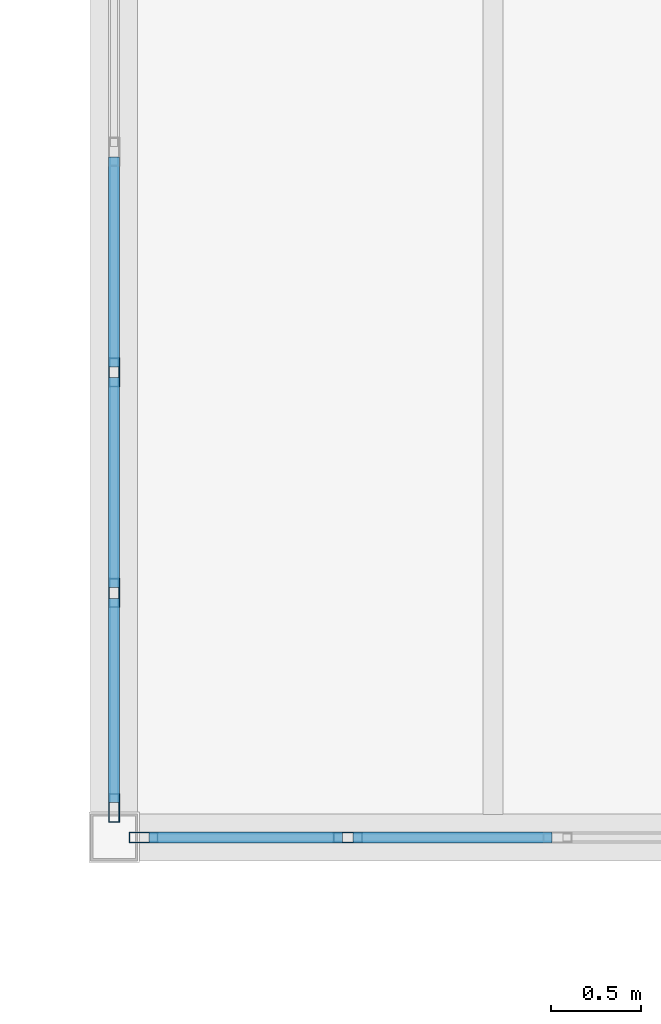
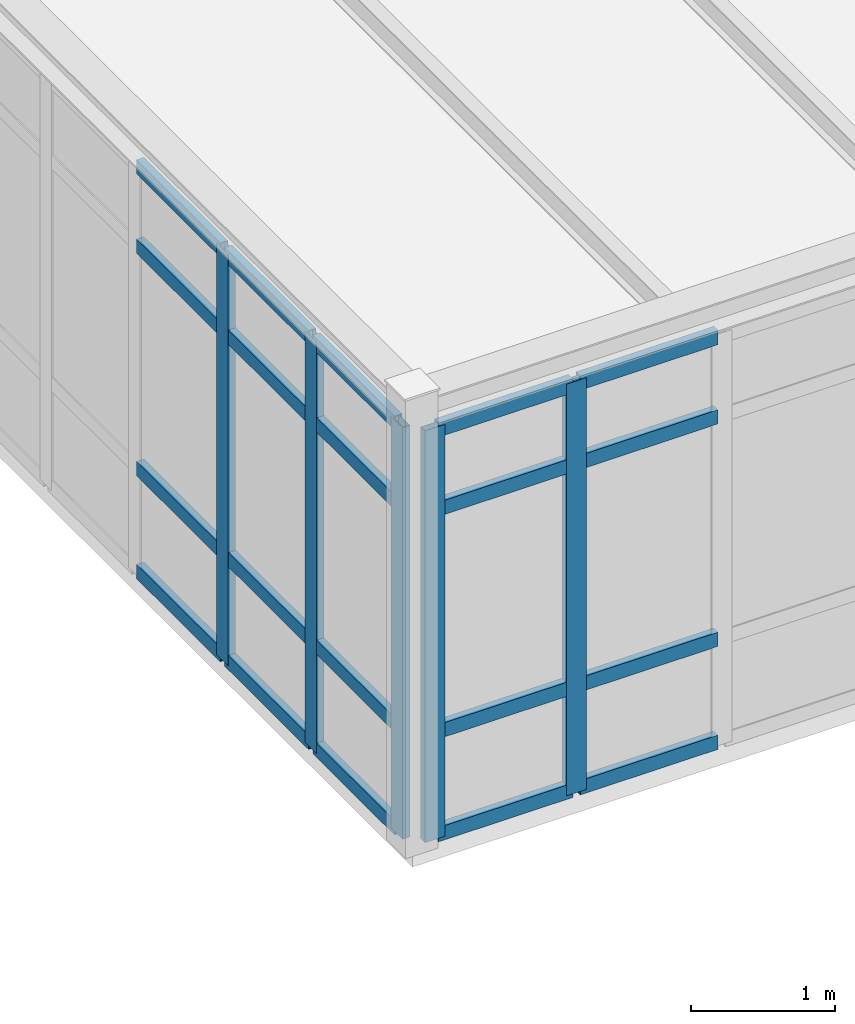
# One storey, part 67 of 189: 25 members, 2 elements without a shape of their own.
"""IFC4 building model written with IfcOpenShell, lengths in metres."""

from ifc_helpers import new_model, si_unit, direction, frame, origin, origin_2d, place, context, subcontext, project, spatial, hollow_rectangle, extrude, material, layer, layer_set, material_profile, profile_set, type_object, element, aggregate, save


model = new_model("IFC4")

# Units and contexts
model_context = context("Model", 3, precision=1e-05, world=origin(), true_north=direction((0.0, 1.0)))
body_context = subcontext(model_context, "Body", "Model", "MODEL_VIEW")
ifc_project = project(units=[si_unit("LENGTHUNIT", "METRE"), si_unit("AREAUNIT", "SQUARE_METRE"), si_unit("VOLUMEUNIT", "CUBIC_METRE"), si_unit("PLANEANGLEUNIT", "RADIAN"), si_unit("MASSUNIT", "GRAM", prefix="KILO")], contexts=[model_context])

# Site, building, storey
site_placement = place(None, origin())
site = spatial("IfcSite", under=ifc_project, at=site_placement, CompositionType="ELEMENT")
building_placement = place(site_placement, origin())
building = spatial("IfcBuilding", under=site, at=building_placement, Name="Montecoro Central Library", CompositionType="ELEMENT")
storey_placement = place(building_placement, frame((0.0, 0.0, 9.179931640625)))
storey = spatial("IfcBuildingStorey", under=building, at=storey_placement, Name="L02", CompositionType="ELEMENT", Elevation=9.179931640625)

# Curtain wall, members
ifc_material_1 = material(Name="Bronze-anodised aluminium and low-E glazing", Category="aluminium")
ifc_layer_1 = layer(ifc_material_1, 0.159912109375)
ifc_layer_set_1 = layer_set([ifc_layer_1], Name="Bronze-anodised aluminium and low-E glazing")
curtain_wall_type_1 = type_object("IfcCurtainWallType", Name="CWT-014", PredefinedType="NOTDEFINED", material=ifc_layer_set_1)
curtain_wall_1_placement = place(storey_placement, origin())
curtain_wall_1 = element("IfcCurtainWall", 1, at=curtain_wall_1_placement, inside=storey, type_object=curtain_wall_type_1, Name="V2-L02-CW-S0", PredefinedType="NOTDEFINED")
ifc_material_2 = material(Name="Bronze-anodised aluminium", Category="aluminium")
ifc_material_profile_1 = material_profile(ifc_material_2, hollow_rectangle(XDim=0.06005859375, YDim=0.159912109375, WallThickness=0.00390625, at=origin_2d()), Name="CWM 160x60x4.0")
ifc_profile_set_1 = profile_set([ifc_material_profile_1], Name="Bronze-anodised aluminium")
member_type_1 = type_object("IfcMemberType", Name="CWM-BRZ-60", PredefinedType="MULLION", material=ifc_profile_set_1)
member_1_placement = place(storey_placement, frame((66.56298828125, 81.0, 0.0), z_axis=(0.0, 0.0, 1.0), x_axis=(0.0, 1.0, 0.0)))
member_1 = element("IfcMember", 2, at=member_1_placement, type_object=member_type_1, Name="CW-014 mullion 1", PredefinedType="MULLION", context=body_context, shape_type="SweptSolid", body=[
    extrude(hollow_rectangle(XDim=0.06005859375, YDim=0.159912109375, WallThickness=0.00390625, at=origin_2d()), origin(), (0.0, 0.0, 1.0), 3.47998046875),
])
member_2_placement = place(storey_placement, frame((67.695068359375, 81.0, 0.0), z_axis=(0.0, 0.0, 1.0), x_axis=(0.0, 1.0, 0.0)))
member_2 = element("IfcMember", 3, at=member_2_placement, type_object=member_type_1, Name="CW-014 mullion 2", PredefinedType="MULLION", context=body_context, shape_type="SweptSolid", body=[
    extrude(hollow_rectangle(XDim=0.06005859375, YDim=0.159912109375, WallThickness=0.00390625, at=origin_2d()), origin(), (0.0, 0.0, 1.0), 3.47998046875),
])

ifc_layer_2 = layer(ifc_material_1, 0.159912109375)
ifc_layer_set_2 = layer_set([ifc_layer_2], Name="Bronze-anodised aluminium and low-E glazing")
curtain_wall_type_2 = type_object("IfcCurtainWallType", Name="CWT-017", PredefinedType="NOTDEFINED", material=ifc_layer_set_2)
curtain_wall_2_placement = place(storey_placement, origin())
curtain_wall_2 = element("IfcCurtainWall", 4, at=curtain_wall_2_placement, inside=storey, type_object=curtain_wall_type_2, Name="V2-L02-CW-W0", PredefinedType="NOTDEFINED")
member_3_placement = place(storey_placement, frame((66.39990234375, 83.57763671875, 0.0), z_axis=(0.0, 0.0, 1.0), x_axis=(1.0, 0.0, 0.0)))
member_3 = element("IfcMember", 5, at=member_3_placement, type_object=member_type_1, Name="CW-017 mullion 5", PredefinedType="MULLION", context=body_context, shape_type="SweptSolid", body=[
    extrude(hollow_rectangle(XDim=0.06005859375, YDim=0.159912109375, WallThickness=0.00390625, at=origin_2d()), origin(), (0.0, 0.0, 1.0), 3.47998046875),
])
member_4_placement = place(storey_placement, frame((66.39990234375, 82.355224609375, 0.0), z_axis=(0.0, 0.0, 1.0), x_axis=(1.0, 0.0, 0.0)))
member_4 = element("IfcMember", 6, at=member_4_placement, type_object=member_type_1, Name="CW-017 mullion 6", PredefinedType="MULLION", context=body_context, shape_type="SweptSolid", body=[
    extrude(hollow_rectangle(XDim=0.06005859375, YDim=0.159912109375, WallThickness=0.00390625, at=origin_2d()), origin(), (0.0, 0.0, 1.0), 3.47998046875),
])
member_5_placement = place(storey_placement, frame((66.39990234375, 81.1630859375, 0.0), z_axis=(0.0, 0.0, 1.0), x_axis=(1.0, 0.0, 0.0)))
member_5 = element("IfcMember", 7, at=member_5_placement, type_object=member_type_1, Name="CW-017 mullion 7", PredefinedType="MULLION", context=body_context, shape_type="SweptSolid", body=[
    extrude(hollow_rectangle(XDim=0.06005859375, YDim=0.159912109375, WallThickness=0.00390625, at=origin_2d()), origin(), (0.0, 0.0, 1.0), 3.47998046875),
])

# Member
ifc_material_profile_2 = material_profile(ifc_material_2, hollow_rectangle(XDim=0.06005859375, YDim=0.1201171875, WallThickness=0.00390625, at=origin_2d()), Name="CWT 120x60x4.0")
ifc_profile_set_2 = profile_set([ifc_material_profile_2], Name="Bronze-anodised aluminium")
member_type_2 = type_object("IfcMemberType", Name="CWT-BRZ-60", PredefinedType="USERDEFINED", material=ifc_profile_set_2)
member_6_placement = place(storey_placement, frame((66.593017578125, 81.0, 0.030029296875), z_axis=(1.0, 0.0, 0.0), x_axis=(0.0, 1.0, 0.0)))
member_6 = element("IfcMember", 8, at=member_6_placement, type_object=member_type_2, Name="CW-014 transom 1.1", ObjectType="TRANSOM", PredefinedType="USERDEFINED", context=body_context, shape_type="SweptSolid", body=[
    extrude(hollow_rectangle(XDim=0.06005859375, YDim=0.1201171875, WallThickness=0.00390625, at=origin_2d()), origin(), (0.0, 0.0, 1.0), 1.072021484375),
])

member_7_placement = place(storey_placement, frame((66.593017578125, 81.0, 0.900146484375), z_axis=(1.0, 0.0, 0.0), x_axis=(0.0, 1.0, 0.0)))
member_7 = element("IfcMember", 9, at=member_7_placement, type_object=member_type_2, Name="CW-014 transom 1.2", ObjectType="TRANSOM", PredefinedType="USERDEFINED", context=body_context, shape_type="SweptSolid", body=[
    extrude(hollow_rectangle(XDim=0.06005859375, YDim=0.1201171875, WallThickness=0.00390625, at=origin_2d()), origin(), (0.0, 0.0, 1.0), 1.072021484375),
])

member_8_placement = place(storey_placement, frame((66.593017578125, 81.0, 2.780029296875), z_axis=(1.0, 0.0, 0.0), x_axis=(0.0, 1.0, 0.0)))
member_8 = element("IfcMember", 10, at=member_8_placement, type_object=member_type_2, Name="CW-014 transom 1.3", ObjectType="TRANSOM", PredefinedType="USERDEFINED", context=body_context, shape_type="SweptSolid", body=[
    extrude(hollow_rectangle(XDim=0.06005859375, YDim=0.1201171875, WallThickness=0.00390625, at=origin_2d()), origin(), (0.0, 0.0, 1.0), 1.072021484375),
])

member_9_placement = place(storey_placement, frame((66.593017578125, 81.0, 3.449951171875), z_axis=(1.0, 0.0, 0.0), x_axis=(0.0, 1.0, 0.0)))
member_9 = element("IfcMember", 11, at=member_9_placement, type_object=member_type_2, Name="CW-014 transom 1.4", ObjectType="TRANSOM", PredefinedType="USERDEFINED", context=body_context, shape_type="SweptSolid", body=[
    extrude(hollow_rectangle(XDim=0.06005859375, YDim=0.1201171875, WallThickness=0.00390625, at=origin_2d()), origin(), (0.0, 0.0, 1.0), 1.072021484375),
])

member_10_placement = place(storey_placement, frame((67.72509765625, 81.0, 0.030029296875), z_axis=(1.0, 0.0, 0.0), x_axis=(0.0, 1.0, 0.0)))
member_10 = element("IfcMember", 12, at=member_10_placement, type_object=member_type_2, Name="CW-014 transom 2.1", ObjectType="TRANSOM", PredefinedType="USERDEFINED", context=body_context, shape_type="SweptSolid", body=[
    extrude(hollow_rectangle(XDim=0.06005859375, YDim=0.1201171875, WallThickness=0.00390625, at=origin_2d()), origin(), (0.0, 0.0, 1.0), 1.101806640625),
])

member_11_placement = place(storey_placement, frame((67.72509765625, 81.0, 0.900146484375), z_axis=(1.0, 0.0, 0.0), x_axis=(0.0, 1.0, 0.0)))
member_11 = element("IfcMember", 13, at=member_11_placement, type_object=member_type_2, Name="CW-014 transom 2.2", ObjectType="TRANSOM", PredefinedType="USERDEFINED", context=body_context, shape_type="SweptSolid", body=[
    extrude(hollow_rectangle(XDim=0.06005859375, YDim=0.1201171875, WallThickness=0.00390625, at=origin_2d()), origin(), (0.0, 0.0, 1.0), 1.101806640625),
])

member_12_placement = place(storey_placement, frame((67.72509765625, 81.0, 2.780029296875), z_axis=(1.0, 0.0, 0.0), x_axis=(0.0, 1.0, 0.0)))
member_12 = element("IfcMember", 14, at=member_12_placement, type_object=member_type_2, Name="CW-014 transom 2.3", ObjectType="TRANSOM", PredefinedType="USERDEFINED", context=body_context, shape_type="SweptSolid", body=[
    extrude(hollow_rectangle(XDim=0.06005859375, YDim=0.1201171875, WallThickness=0.00390625, at=origin_2d()), origin(), (0.0, 0.0, 1.0), 1.101806640625),
])

member_13_placement = place(storey_placement, frame((67.72509765625, 81.0, 3.449951171875), z_axis=(1.0, 0.0, 0.0), x_axis=(0.0, 1.0, 0.0)))
member_13 = element("IfcMember", 15, at=member_13_placement, type_object=member_type_2, Name="CW-014 transom 2.4", ObjectType="TRANSOM", PredefinedType="USERDEFINED", context=body_context, shape_type="SweptSolid", body=[
    extrude(hollow_rectangle(XDim=0.06005859375, YDim=0.1201171875, WallThickness=0.00390625, at=origin_2d()), origin(), (0.0, 0.0, 1.0), 1.101806640625),
])

aggregate(curtain_wall_1, [member_1, member_2, member_6, member_7, member_8, member_9, member_10, member_11, member_12, member_13])

member_14_placement = place(storey_placement, frame((66.39990234375, 84.77001953125, 0.030029296875), z_axis=(0.0, -1.0, 0.0), x_axis=(1.0, 0.0, 0.0)))
member_14 = element("IfcMember", 16, at=member_14_placement, type_object=member_type_2, Name="CW-017 transom 4.1", ObjectType="TRANSOM", PredefinedType="USERDEFINED", context=body_context, shape_type="SweptSolid", body=[
    extrude(hollow_rectangle(XDim=0.06005859375, YDim=0.1201171875, WallThickness=0.00390625, at=origin_2d()), origin(), (0.0, 0.0, 1.0), 1.162353515625),
])

member_15_placement = place(storey_placement, frame((66.39990234375, 84.77001953125, 0.900146484375), z_axis=(0.0, -1.0, 0.0), x_axis=(1.0, 0.0, 0.0)))
member_15 = element("IfcMember", 17, at=member_15_placement, type_object=member_type_2, Name="CW-017 transom 4.2", ObjectType="TRANSOM", PredefinedType="USERDEFINED", context=body_context, shape_type="SweptSolid", body=[
    extrude(hollow_rectangle(XDim=0.06005859375, YDim=0.1201171875, WallThickness=0.00390625, at=origin_2d()), origin(), (0.0, 0.0, 1.0), 1.162353515625),
])

member_16_placement = place(storey_placement, frame((66.39990234375, 84.77001953125, 2.780029296875), z_axis=(0.0, -1.0, 0.0), x_axis=(1.0, 0.0, 0.0)))
member_16 = element("IfcMember", 18, at=member_16_placement, type_object=member_type_2, Name="CW-017 transom 4.3", ObjectType="TRANSOM", PredefinedType="USERDEFINED", context=body_context, shape_type="SweptSolid", body=[
    extrude(hollow_rectangle(XDim=0.06005859375, YDim=0.1201171875, WallThickness=0.00390625, at=origin_2d()), origin(), (0.0, 0.0, 1.0), 1.162353515625),
])

member_17_placement = place(storey_placement, frame((66.39990234375, 84.77001953125, 3.449951171875), z_axis=(0.0, -1.0, 0.0), x_axis=(1.0, 0.0, 0.0)))
member_17 = element("IfcMember", 19, at=member_17_placement, type_object=member_type_2, Name="CW-017 transom 4.4", ObjectType="TRANSOM", PredefinedType="USERDEFINED", context=body_context, shape_type="SweptSolid", body=[
    extrude(hollow_rectangle(XDim=0.06005859375, YDim=0.1201171875, WallThickness=0.00390625, at=origin_2d()), origin(), (0.0, 0.0, 1.0), 1.162353515625),
])

member_18_placement = place(storey_placement, frame((66.39990234375, 83.547607421875, 0.030029296875), z_axis=(0.0, -1.0, 0.0), x_axis=(1.0, 0.0, 0.0)))
member_18 = element("IfcMember", 20, at=member_18_placement, type_object=member_type_2, Name="CW-017 transom 5.1", ObjectType="TRANSOM", PredefinedType="USERDEFINED", context=body_context, shape_type="SweptSolid", body=[
    extrude(hollow_rectangle(XDim=0.06005859375, YDim=0.1201171875, WallThickness=0.00390625, at=origin_2d()), origin(), (0.0, 0.0, 1.0), 1.162353515625),
])

member_19_placement = place(storey_placement, frame((66.39990234375, 83.547607421875, 0.900146484375), z_axis=(0.0, -1.0, 0.0), x_axis=(1.0, 0.0, 0.0)))
member_19 = element("IfcMember", 21, at=member_19_placement, type_object=member_type_2, Name="CW-017 transom 5.2", ObjectType="TRANSOM", PredefinedType="USERDEFINED", context=body_context, shape_type="SweptSolid", body=[
    extrude(hollow_rectangle(XDim=0.06005859375, YDim=0.1201171875, WallThickness=0.00390625, at=origin_2d()), origin(), (0.0, 0.0, 1.0), 1.162353515625),
])

member_20_placement = place(storey_placement, frame((66.39990234375, 83.547607421875, 2.780029296875), z_axis=(0.0, -1.0, 0.0), x_axis=(1.0, 0.0, 0.0)))
member_20 = element("IfcMember", 22, at=member_20_placement, type_object=member_type_2, Name="CW-017 transom 5.3", ObjectType="TRANSOM", PredefinedType="USERDEFINED", context=body_context, shape_type="SweptSolid", body=[
    extrude(hollow_rectangle(XDim=0.06005859375, YDim=0.1201171875, WallThickness=0.00390625, at=origin_2d()), origin(), (0.0, 0.0, 1.0), 1.162353515625),
])

member_21_placement = place(storey_placement, frame((66.39990234375, 83.547607421875, 3.449951171875), z_axis=(0.0, -1.0, 0.0), x_axis=(1.0, 0.0, 0.0)))
member_21 = element("IfcMember", 23, at=member_21_placement, type_object=member_type_2, Name="CW-017 transom 5.4", ObjectType="TRANSOM", PredefinedType="USERDEFINED", context=body_context, shape_type="SweptSolid", body=[
    extrude(hollow_rectangle(XDim=0.06005859375, YDim=0.1201171875, WallThickness=0.00390625, at=origin_2d()), origin(), (0.0, 0.0, 1.0), 1.162353515625),
])

member_22_placement = place(storey_placement, frame((66.39990234375, 82.325439453125, 0.030029296875), z_axis=(0.0, -1.0, 0.0), x_axis=(1.0, 0.0, 0.0)))
member_22 = element("IfcMember", 24, at=member_22_placement, type_object=member_type_2, Name="CW-017 transom 6.1", ObjectType="TRANSOM", PredefinedType="USERDEFINED", context=body_context, shape_type="SweptSolid", body=[
    extrude(hollow_rectangle(XDim=0.06005859375, YDim=0.1201171875, WallThickness=0.00390625, at=origin_2d()), origin(), (0.0, 0.0, 1.0), 1.13232421875),
])

member_23_placement = place(storey_placement, frame((66.39990234375, 82.325439453125, 0.900146484375), z_axis=(0.0, -1.0, 0.0), x_axis=(1.0, 0.0, 0.0)))
member_23 = element("IfcMember", 25, at=member_23_placement, type_object=member_type_2, Name="CW-017 transom 6.2", ObjectType="TRANSOM", PredefinedType="USERDEFINED", context=body_context, shape_type="SweptSolid", body=[
    extrude(hollow_rectangle(XDim=0.06005859375, YDim=0.1201171875, WallThickness=0.00390625, at=origin_2d()), origin(), (0.0, 0.0, 1.0), 1.13232421875),
])

member_24_placement = place(storey_placement, frame((66.39990234375, 82.325439453125, 2.780029296875), z_axis=(0.0, -1.0, 0.0), x_axis=(1.0, 0.0, 0.0)))
member_24 = element("IfcMember", 26, at=member_24_placement, type_object=member_type_2, Name="CW-017 transom 6.3", ObjectType="TRANSOM", PredefinedType="USERDEFINED", context=body_context, shape_type="SweptSolid", body=[
    extrude(hollow_rectangle(XDim=0.06005859375, YDim=0.1201171875, WallThickness=0.00390625, at=origin_2d()), origin(), (0.0, 0.0, 1.0), 1.13232421875),
])

member_25_placement = place(storey_placement, frame((66.39990234375, 82.325439453125, 3.449951171875), z_axis=(0.0, -1.0, 0.0), x_axis=(1.0, 0.0, 0.0)))
member_25 = element("IfcMember", 27, at=member_25_placement, type_object=member_type_2, Name="CW-017 transom 6.4", ObjectType="TRANSOM", PredefinedType="USERDEFINED", context=body_context, shape_type="SweptSolid", body=[
    extrude(hollow_rectangle(XDim=0.06005859375, YDim=0.1201171875, WallThickness=0.00390625, at=origin_2d()), origin(), (0.0, 0.0, 1.0), 1.13232421875),
])

aggregate(curtain_wall_2, [member_3, member_4, member_5, member_14, member_15, member_16, member_17, member_18, member_19, member_20, member_21, member_22, member_23, member_24, member_25])

save(model, "model.ifc")
